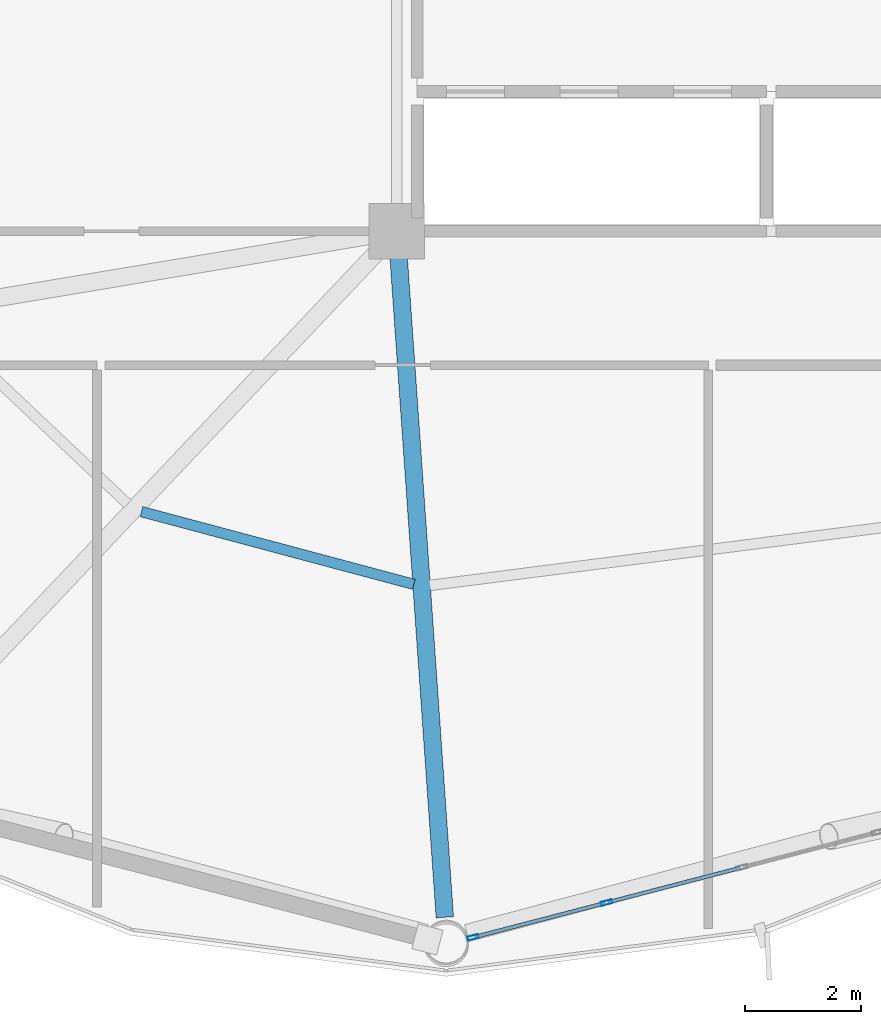
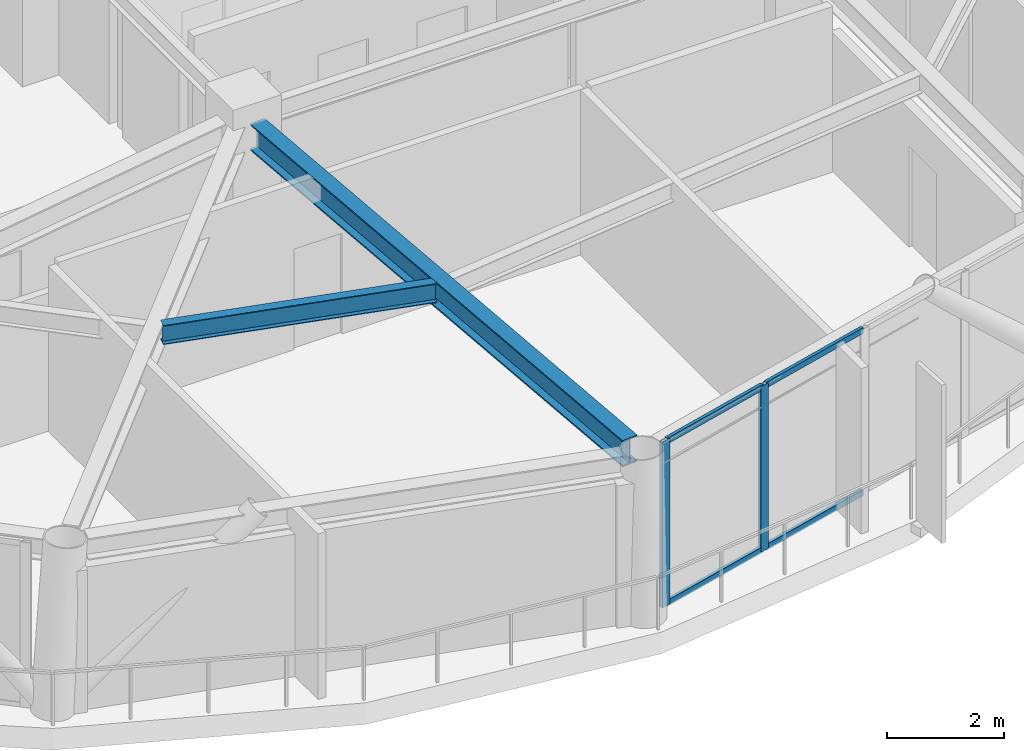
# One storey, part 7 of 26: 6 members, 2 beams, 1 element without a shape of its own.
"""IFC4 building model written with IfcOpenShell, lengths in metres."""

from ifc_helpers import new_model, si_unit, direction, frame, origin, origin_2d, place, context, subcontext, project, spatial, hollow_rectangle, i_section, extrude, material, layer, layer_set, material_profile, profile_set, type_object, element, aggregate, save


model = new_model("IFC4")

# Units and contexts
model_context = context("Model", 3, precision=1e-05, world=origin(), true_north=direction((0.0, 1.0)))
body_context = subcontext(model_context, "Body", "Model", "MODEL_VIEW")
ifc_project = project(units=[si_unit("LENGTHUNIT", "METRE"), si_unit("AREAUNIT", "SQUARE_METRE"), si_unit("VOLUMEUNIT", "CUBIC_METRE"), si_unit("PLANEANGLEUNIT", "RADIAN"), si_unit("MASSUNIT", "GRAM", prefix="KILO")], contexts=[model_context])

# Site, building, storey
site_placement = place(None, origin())
site = spatial("IfcSite", under=ifc_project, at=site_placement, CompositionType="ELEMENT")
building_placement = place(site_placement, origin())
building = spatial("IfcBuilding", under=site, at=building_placement, Name="Varnakorn Sky Granary", CompositionType="ELEMENT")
storey_placement = place(building_placement, frame((0.0, 0.0, 169.5)))
storey = spatial("IfcBuildingStorey", under=building, at=storey_placement, Name="L42", CompositionType="ELEMENT", Elevation=169.5)

# Beams
ifc_material_1 = material(Name="Steel S355JR", Category="steel")
ifc_material_profile_1 = material_profile(ifc_material_1, i_section(OverallWidth=0.300048828125, OverallDepth=0.550048828125, WebThickness=0.014892578125, FlangeThickness=0.029052734375, at=origin_2d()), Name="HE 550 B")
ifc_profile_set_1 = profile_set([ifc_material_profile_1], Name="Steel S355JR")
beam_type_1 = type_object("IfcBeamType", Name="BM-RAD-Z3", PredefinedType="BEAM", material=ifc_profile_set_1)
beam_1_placement = place(storey_placement, frame((-2.32080078125, -7.01904296875, 3.175048828125), z_axis=(0.06981100307, -0.9975602357, 0.0), x_axis=(0.9975602357, 0.06981100307, 0.0)))
element("IfcBeam", 1, at=beam_1_placement, inside=storey, type_object=beam_type_1, Name="Radial Floor Girder RG10 L42", PredefinedType="BEAM", context=body_context, shape_type="SweptSolid", body=[
    extrude(i_section(OverallWidth=0.300048828125, OverallDepth=0.550048828125, WebThickness=0.014892578125, FlangeThickness=0.029052734375, at=origin_2d()), origin(), (0.0, 0.0, 1.0), 11.393798828125),
])
ifc_material_profile_2 = material_profile(ifc_material_1, i_section(OverallWidth=0.179931640625, OverallDepth=0.39990234375, WebThickness=0.008544921875, FlangeThickness=0.013427734375, at=origin_2d()), Name="IPE 400")
ifc_profile_set_2 = profile_set([ifc_material_profile_2], Name="Steel S355JR")
beam_type_2 = type_object("IfcBeamType", Name="BM-SEC-Z3", PredefinedType="BEAM", material=ifc_profile_set_2)
beam_2_placement = place(storey_placement, frame((-6.737060546875, -11.416259765625, 3.25), z_axis=(0.96613948369, -0.258020344267, 0.0), x_axis=(0.258020344267, 0.96613948369, 0.0)))
element("IfcBeam", 2, at=beam_2_placement, inside=storey, type_object=beam_type_2, Name="Secondary Floor Chord Beam MSB09 L42", PredefinedType="BEAM", context=body_context, shape_type="SweptSolid", body=[
    extrude(i_section(OverallWidth=0.179931640625, OverallDepth=0.39990234375, WebThickness=0.008544921875, FlangeThickness=0.013427734375, at=origin_2d()), origin(), (0.0, 0.0, 1.0), 4.8427734375),
])

# Curtain wall, members
ifc_material_2 = material(Name="Anodised Bronze Aluminium Alloy 6063-T6", Category="aluminium")
ifc_layer = layer(ifc_material_2, 0.179931640625, Name="Anodised Bronze Aluminium Alloy 6063-T6")
ifc_layer_set = layer_set([ifc_layer], Name="Anodised Bronze Aluminium Alloy 6063-T6")
curtain_wall_type = type_object("IfcCurtainWallType", Name="CW-FRM-2", PredefinedType="USERDEFINED", material=ifc_layer_set)
curtain_wall_placement = place(storey_placement, origin())
curtain_wall = element("IfcCurtainWall", 3, at=curtain_wall_placement, inside=storey, type_object=curtain_wall_type, Name="Unitised Curtain Wall CW4 CW-L42-B10", ObjectType="CURTAIN WALL", PredefinedType="USERDEFINED")
ifc_material_profile_3 = material_profile(ifc_material_2, hollow_rectangle(XDim=0.070068359375, YDim=0.18505859375, WallThickness=0.00390625, at=origin_2d()), Name="ALU MULL 70x185")
ifc_profile_set_3 = profile_set([ifc_material_profile_3], Name="Anodised Bronze Aluminium Alloy 6063-T6")
member_type_1 = type_object("IfcMemberType", Name="CW-FRM-2-MULL", PredefinedType="MULLION", material=ifc_profile_set_3)
member_1_placement = place(storey_placement, frame((1.252685546875, -18.134033203125, 0.0), z_axis=(0.0, 0.0, 1.0), x_axis=(0.251759148896, -0.967789920875, 0.0)))
member_1 = element("IfcMember", 4, at=member_1_placement, type_object=member_type_1, Name="CW4 mullion 4", PredefinedType="MULLION", context=body_context, shape_type="SweptSolid", body=[
    extrude(hollow_rectangle(XDim=0.070068359375, YDim=0.18505859375, WallThickness=0.00390625, at=origin_2d()), origin(), (0.0, 0.0, 1.0), 3.449951171875),
])
member_2_placement = place(storey_placement, frame((-1.039306640625, -18.730224609375, 0.0), z_axis=(0.0, 0.0, 1.0), x_axis=(0.251759148896, -0.967789920875, 0.0)))
member_2 = element("IfcMember", 5, at=member_2_placement, type_object=member_type_1, Name="CW4 mullion 5", PredefinedType="MULLION", context=body_context, shape_type="SweptSolid", body=[
    extrude(hollow_rectangle(XDim=0.070068359375, YDim=0.18505859375, WallThickness=0.00390625, at=origin_2d()), origin(), (0.0, 0.0, 1.0), 3.449951171875),
])
ifc_material_profile_4 = material_profile(ifc_material_2, hollow_rectangle(XDim=0.06494140625, YDim=0.1201171875, WallThickness=0.00341796875, at=origin_2d()), Name="ALU TRAN 65x120")
ifc_profile_set_4 = profile_set([ifc_material_profile_4], Name="Anodised Bronze Aluminium Alloy 6063-T6")
member_type_2 = type_object("IfcMemberType", Name="CW-FRM-2-TRAN", PredefinedType="USERDEFINED", material=ifc_profile_set_4)
member_3_placement = place(storey_placement, frame((3.544921875, -17.53759765625, 0.032470703125), z_axis=(-0.967797021362, -0.251731852259, 0.0), x_axis=(0.251731852259, -0.967797021362, 0.0)))
member_3 = element("IfcMember", 6, at=member_3_placement, type_object=member_type_2, Name="CW4 transom 3.1", ObjectType="TRANSOM", PredefinedType="USERDEFINED", context=body_context, shape_type="SweptSolid", body=[
    extrude(hollow_rectangle(XDim=0.06494140625, YDim=0.1201171875, WallThickness=0.00341796875, at=origin_2d()), origin(), (0.0, 0.0, 1.0), 2.33349609375),
])
member_4_placement = place(storey_placement, frame((3.544921875, -17.53759765625, 3.41748046875), z_axis=(-0.967797021362, -0.251731852259, 0.0), x_axis=(0.251731852259, -0.967797021362, 0.0)))
member_4 = element("IfcMember", 7, at=member_4_placement, type_object=member_type_2, Name="CW4 transom 3.2", ObjectType="TRANSOM", PredefinedType="USERDEFINED", context=body_context, shape_type="SweptSolid", body=[
    extrude(hollow_rectangle(XDim=0.06494140625, YDim=0.1201171875, WallThickness=0.00341796875, at=origin_2d()), origin(), (0.0, 0.0, 1.0), 2.33349609375),
])
member_5_placement = place(storey_placement, frame((1.218994140625, -18.142822265625, 0.032470703125), z_axis=(-0.967793009375, -0.251747276064, 0.0), x_axis=(0.251747276064, -0.967793009375, 0.0)))
member_5 = element("IfcMember", 8, at=member_5_placement, type_object=member_type_2, Name="CW4 transom 4.1", ObjectType="TRANSOM", PredefinedType="USERDEFINED", context=body_context, shape_type="SweptSolid", body=[
    extrude(hollow_rectangle(XDim=0.06494140625, YDim=0.1201171875, WallThickness=0.00341796875, at=origin_2d()), origin(), (0.0, 0.0, 1.0), 2.29833984375),
])
member_6_placement = place(storey_placement, frame((1.218994140625, -18.142822265625, 3.41748046875), z_axis=(-0.967793009375, -0.251747276064, 0.0), x_axis=(0.251747276064, -0.967793009375, 0.0)))
member_6 = element("IfcMember", 9, at=member_6_placement, type_object=member_type_2, Name="CW4 transom 4.2", ObjectType="TRANSOM", PredefinedType="USERDEFINED", context=body_context, shape_type="SweptSolid", body=[
    extrude(hollow_rectangle(XDim=0.06494140625, YDim=0.1201171875, WallThickness=0.00341796875, at=origin_2d()), origin(), (0.0, 0.0, 1.0), 2.29833984375),
])
aggregate(curtain_wall, [member_1, member_2, member_3, member_4, member_5, member_6])

save(model, "model.ifc")
